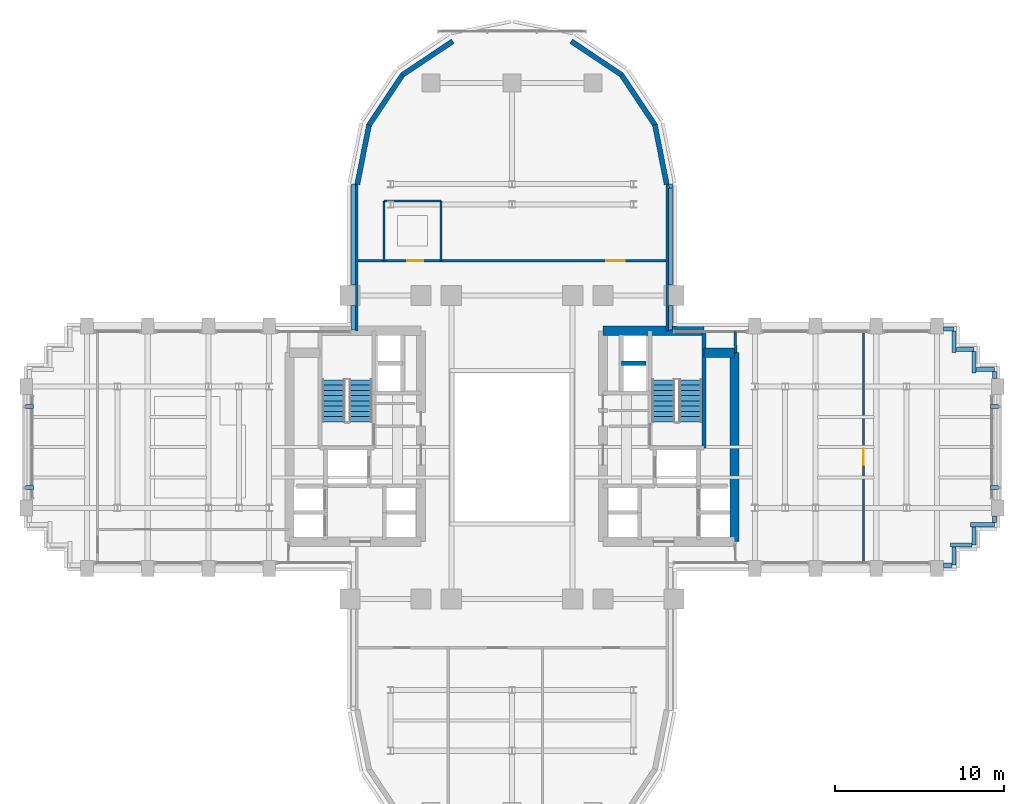
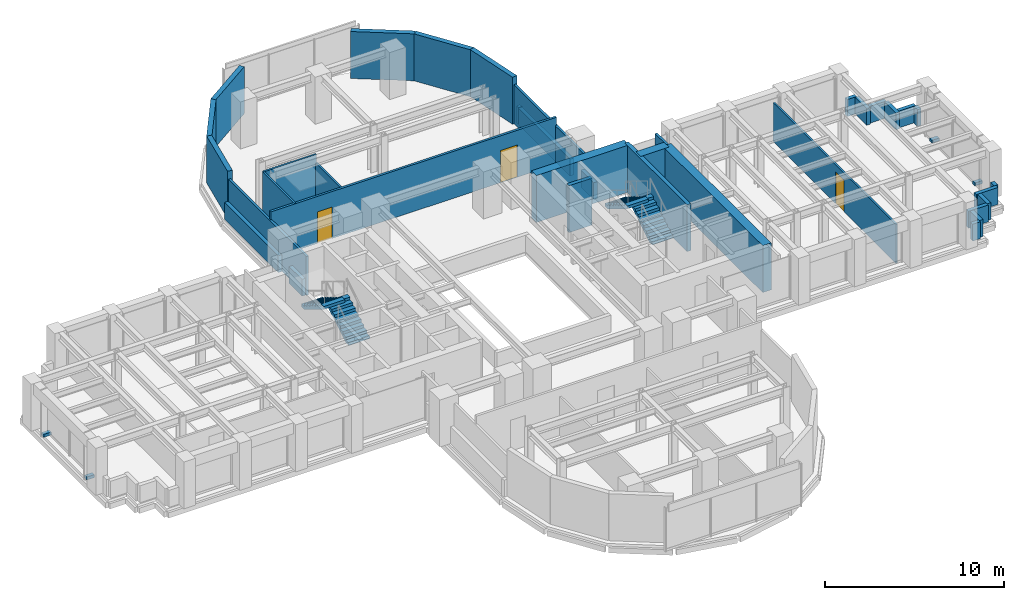
# One storey, part 12 of 16: 36 walls, 4 discrete accessories, 4 stair flights, 3 doors, 3 openings, 2 elements without a shape of their own.
"""IFC4 building model written with IfcOpenShell, lengths in metres."""

from ifc_helpers import new_model, si_unit, direction, frame, frame_2d, origin, origin_2d, place, context, subcontext, project, spatial, polyline, rectangle, outline, extrude, source, transform, mapped, material, layer, layer_set, type_object, element, fill, aggregate, save


model = new_model("IFC4")

# Units and contexts
model_context = context("Model", 3, precision=1e-05, world=origin(), true_north=direction((0.0, 1.0)))
body_context = subcontext(model_context, "Body", "Model", "MODEL_VIEW")
ifc_project = project(units=[si_unit("LENGTHUNIT", "METRE"), si_unit("AREAUNIT", "SQUARE_METRE"), si_unit("VOLUMEUNIT", "CUBIC_METRE"), si_unit("PLANEANGLEUNIT", "RADIAN"), si_unit("MASSUNIT", "GRAM", prefix="KILO")], contexts=[model_context])

# Site, building, storey
site_placement = place(None, origin())
site = spatial("IfcSite", under=ifc_project, at=site_placement, CompositionType="ELEMENT")
building_placement = place(site_placement, origin())
building = spatial("IfcBuilding", under=site, at=building_placement, Name="Keilestroom Media Tower", CompositionType="ELEMENT")
storey_placement = place(building_placement, frame((0.0, 0.0, 51.0)))
storey = spatial("IfcBuildingStorey", under=building, at=storey_placement, Name="L12", CompositionType="ELEMENT", Elevation=51.0)

# Walls
ifc_material_1 = material(Name="Precast concrete C40/50", Category="concrete")
ifc_layer_1 = layer(ifc_material_1, 0.300048828125)
ifc_layer_set_1 = layer_set([ifc_layer_1], Name="Precast concrete C40/50")
wall_type_1 = type_object("IfcWallType", Name="Exterior-Masonry-Spandrel-Wall-300", PredefinedType="SOLIDWALL", material=ifc_layer_set_1)
for number, where, z_axis, x_axis, name in (
    (1, (9.1748046875, 15.585205078125, 0.0), (0.0, 0.0, 1.0), (-0.195114232679, 0.980780523974, 0.0), "L12 Lobe Facet Precast Frame Wall 01"),
    (2, (8.48193359375, 19.097412109375, 0.0), (0.0, 0.0, 1.0), (-0.555574187116, 0.831466970246, 0.0), "L12 Lobe Facet Precast Frame Wall 02"),
):
    element("IfcWall", number, at=place(storey_placement, frame(where, z_axis=z_axis, x_axis=x_axis)), inside=storey, type_object=wall_type_1, Name=name, PredefinedType="SOLIDWALL", context=body_context, shape_type="SweptSolid", body=[
        extrude(rectangle(XDim=3.608642578125, YDim=0.300048828125, at=frame_2d((1.80419921875, 0.0))), origin(), (0.0, 0.0, 1.0), 3.199951171875),
    ])
for number, where, z_axis, x_axis, name in (
    (3, (6.497802734375, 22.0771484375, 0.0), (0.0, 0.0, 1.0), (-0.8314749531, 0.555562239868, 0.0), "L12 Lobe Facet Precast Frame Wall 03"),
    (4, (-3.510009765625, 24.073486328125, 0.0), (0.0, 0.0, 1.0), (-0.8314749531, -0.555562239868, 0.0), "L12 Lobe Facet Precast Frame Wall 04"),
):
    element("IfcWall", number, at=place(storey_placement, frame(where, z_axis=z_axis, x_axis=x_axis)), inside=storey, type_object=wall_type_1, Name=name, PredefinedType="SOLIDWALL", context=body_context, shape_type="SweptSolid", body=[
        extrude(rectangle(XDim=3.59326171875, YDim=0.300048828125, at=frame_2d((1.796630859375, 0.0))), origin(), (0.0, 0.0, 1.0), 3.199951171875),
    ])
for number, where, z_axis, x_axis, name in (
    (5, (-6.47705078125, 22.097900390625, 0.0), (0.0, 0.0, 1.0), (-0.555574187116, -0.831466970246, 0.0), "L12 Lobe Facet Precast Frame Wall 05"),
    (6, (-8.470703125, 19.12451171875, 0.0), (0.0, 0.0, 1.0), (-0.195114232679, -0.980780523974, 0.0), "L12 Lobe Facet Precast Frame Wall 06"),
):
    element("IfcWall", number, at=place(storey_placement, frame(where, z_axis=z_axis, x_axis=x_axis)), inside=storey, type_object=wall_type_1, Name=name, PredefinedType="SOLIDWALL", context=body_context, shape_type="SweptSolid", body=[
        extrude(rectangle(XDim=3.608642578125, YDim=0.300048828125, at=frame_2d((1.80419921875, 0.0))), origin(), (0.0, 0.0, 1.0), 3.199951171875),
    ])
ifc_material_2 = material(Name="Gypsum Plasterboard & Steel Stud", Category="steel")
ifc_layer_2 = layer(ifc_material_2, 0.1201171875)
ifc_layer_set_2 = layer_set([ifc_layer_2], Name="Gypsum Plasterboard & Steel Stud")
wall_type_2 = type_object("IfcWallType", Name="Interior-Partition-Wall-120", PredefinedType="PARTITIONING", material=ifc_layer_set_2)
wall_1_placement = place(storey_placement, frame((-7.60009765625, 14.60009765625, 0.0), z_axis=(0.0, 0.0, 1.0), x_axis=(1.0, 0.0, 0.0)))
element("IfcWall", 7, at=wall_1_placement, inside=storey, type_object=wall_type_2, Name="L12 Interior Wall WP-L12-NL-WC-N", PredefinedType="PARTITIONING", context=body_context, shape_type="SweptSolid", body=[
    extrude(rectangle(XDim=3.400146484375, YDim=0.1201171875, at=frame_2d((1.7001953125, 0.0))), origin(), (0.0, 0.0, 1.0), 3.199951171875),
])
wall_2_placement = place(storey_placement, frame((-7.60009765625, 11.050048828125, 0.0), z_axis=(0.0, 0.0, 1.0), x_axis=(0.0, 1.0, 0.0)))
element("IfcWall", 8, at=wall_2_placement, inside=storey, type_object=wall_type_2, Name="L12 Interior Wall WP-L12-NL-WC-W", PredefinedType="PARTITIONING", context=body_context, shape_type="SweptSolid", body=[
    extrude(rectangle(XDim=3.550048828125, YDim=0.1201171875, at=frame_2d((1.77490234375, 0.0))), origin(), (0.0, 0.0, 1.0), 3.199951171875),
])
wall_3_placement = place(storey_placement, frame((-4.199951171875, 11.050048828125, 0.0), z_axis=(0.0, 0.0, 1.0), x_axis=(0.0, 1.0, 0.0)))
element("IfcWall", 9, at=wall_3_placement, inside=storey, type_object=wall_type_2, Name="L12 Interior Wall WP-L12-NL-WC-E", PredefinedType="PARTITIONING", context=body_context, shape_type="SweptSolid", body=[
    extrude(rectangle(XDim=3.550048828125, YDim=0.1201171875, at=frame_2d((1.77490234375, 0.0))), origin(), (0.0, 0.0, 1.0), 2.64990234375),
])

# Wall, opening, door
wall_4_placement = place(storey_placement, frame((20.840087890625, -6.85009765625, 0.0), z_axis=(0.0, 0.0, 1.0), x_axis=(0.0, 1.0, 0.0)))
wall_4 = element("IfcWall", 10, at=wall_4_placement, inside=storey, type_object=wall_type_2, Name="L12 Interior Wall WP-L12-EA-V", PredefinedType="PARTITIONING", context=body_context, shape_type="SweptSolid", body=[
    extrude(rectangle(XDim=13.7001953125, YDim=0.1201171875, at=frame_2d((6.85009765625, 0.0))), origin(), (0.0, 0.0, 1.0), 2.64990234375),
])
opening_1_placement = place(wall_4_placement, frame((5.800048828125, 0.0, 0.0)))
opening_1 = element("IfcOpeningElement", 11, at=opening_1_placement, cuts=wall_4, Name="Opening DI-03", PredefinedType="OPENING", context=body_context, shape_type="SweptSolid", body=[
    extrude(rectangle(XDim=0.949951171875, YDim=2.14990234375, at=frame_2d((0.47509765625, 1.074951171875))), frame((0.0, 0.070068359375, 0.0), z_axis=(0.0, -1.0, 0.0), x_axis=(1.0, 0.0, 0.0)), (0.0, 0.0, 1.0), 0.14013671875),
])
ifc_material_3 = material(Name="Lacquered European Oak Leaf", Category="wood")
door_type_1 = type_object("IfcDoorType", Name="Interior-Room-And-Suite-Door-DI-03", OperationType="NOTDEFINED", PredefinedType="DOOR", material=ifc_material_3)
shared_shape_1 = source(origin(), body_context, "Body", "SweptSolid", [
    extrude(rectangle(XDim=0.949951171875, YDim=2.14990234375, at=frame_2d((0.47509765625, 1.074951171875))), frame((0.0, 0.02490234375, 0.0), z_axis=(0.0, -1.0, 0.0), x_axis=(1.0, 0.0, 0.0)), (0.0, 0.0, 1.0), 0.050048828125),
])
door_1_placement = place(opening_1_placement, origin())
door_1 = element("IfcDoor", 12, at=door_1_placement, inside=storey, type_object=door_type_1, Name="L12 Interior Door DI-L12-DEA-E", OperationType="SINGLE_SWING_RIGHT", OverallHeight=2.14990234375, OverallWidth=0.949951171875, PredefinedType="DOOR", context=body_context, shape_type="MappedRepresentation", body=[
    mapped(shared_shape_1, transform((0.0, 0.0, 0.0), x_axis=(1.0, 0.0, 0.0), y_axis=(0.0, 1.0, 0.0), z_axis=(0.0, 0.0, 1.0), scale=1.0)),
])
fill(opening_1, door_1)

# Wall, openings, doors
ifc_layer_3 = layer(ifc_material_2, 0.14990234375)
ifc_layer_set_3 = layer_set([ifc_layer_3], Name="Gypsum Plasterboard & Steel Stud")
wall_type_3 = type_object("IfcWallType", Name="Interior-Partition-Wall-150", PredefinedType="PARTITIONING", material=ifc_layer_set_3)
wall_5_placement = place(storey_placement, frame((-9.199951171875, 11.050048828125, 0.0), z_axis=(0.0, 0.0, 1.0), x_axis=(1.0, 0.0, 0.0)))
wall_5 = element("IfcWall", 13, at=wall_5_placement, inside=storey, type_object=wall_type_3, Name="L12 Interior Wall WP-L12-NL-BASE", PredefinedType="PARTITIONING", context=body_context, shape_type="SweptSolid", body=[
    extrude(rectangle(XDim=18.39990234375, YDim=0.14990234375, at=frame_2d((9.199951171875, 0.0))), origin(), (0.0, 0.0, 1.0), 3.199951171875),
])
opening_2_placement = place(wall_5_placement, frame((3.0, 0.0, 0.0)))
opening_2 = element("IfcOpeningElement", 14, at=opening_2_placement, cuts=wall_5, Name="Opening DI-03", PredefinedType="OPENING", context=body_context, shape_type="SweptSolid", body=[
    extrude(rectangle(XDim=0.949951171875, YDim=2.14990234375, at=frame_2d((0.47509765625, 1.074951171875))), frame((0.0, 0.0849609375, 0.0), z_axis=(0.0, -1.0, 0.0), x_axis=(1.0, 0.0, 0.0)), (0.0, 0.0, 1.0), 0.169921875),
])
opening_3_placement = place(wall_5_placement, frame((14.800048828125, 0.0, 0.0)))
opening_3 = element("IfcOpeningElement", 15, at=opening_3_placement, cuts=wall_5, Name="Opening DI-04", PredefinedType="OPENING", context=body_context, shape_type="SweptSolid", body=[
    extrude(rectangle(XDim=1.10009765625, YDim=2.199951171875, at=frame_2d((0.550048828125, 1.10009765625))), frame((0.0, 0.0849609375, 0.0), z_axis=(0.0, -1.0, 0.0), x_axis=(1.0, 0.0, 0.0)), (0.0, 0.0, 1.0), 0.169921875),
])
door_2_placement = place(opening_2_placement, origin())
door_2 = element("IfcDoor", 16, at=door_2_placement, inside=storey, type_object=door_type_1, Name="L12 Interior Door DI-L12-DNL-WC", OperationType="SINGLE_SWING_LEFT", OverallHeight=2.14990234375, OverallWidth=0.949951171875, PredefinedType="DOOR", context=body_context, shape_type="MappedRepresentation", body=[
    mapped(shared_shape_1, transform((0.0, 0.0, 0.0), x_axis=(1.0, 0.0, 0.0), y_axis=(0.0, 1.0, 0.0), z_axis=(0.0, 0.0, 1.0), scale=1.0)),
])
fill(opening_2, door_2)
ifc_material_4 = material(Name="Acoustic Glazed Aluminium Leaf", Category="aluminium")
door_type_2 = type_object("IfcDoorType", Name="Interior-Room-And-Suite-Door-DI-04", OperationType="NOTDEFINED", PredefinedType="DOOR", material=ifc_material_4)
shared_shape_2 = source(origin(), body_context, "Body", "SweptSolid", [
    extrude(rectangle(XDim=1.10009765625, YDim=2.199951171875, at=frame_2d((0.550048828125, 1.10009765625))), frame((0.0, 0.02490234375, 0.0), z_axis=(0.0, -1.0, 0.0), x_axis=(1.0, 0.0, 0.0)), (0.0, 0.0, 1.0), 0.050048828125),
])
door_3_placement = place(opening_3_placement, origin())
door_3 = element("IfcDoor", 17, at=door_3_placement, inside=storey, type_object=door_type_2, Name="L12 Interior Door DI-L12-DNL-HALL", OperationType="SINGLE_SWING_RIGHT", OverallHeight=2.199951171875, OverallWidth=1.10009765625, PredefinedType="DOOR", context=body_context, shape_type="MappedRepresentation", body=[
    mapped(shared_shape_2, transform((0.0, 0.0, 0.0), x_axis=(1.0, 0.0, 0.0), y_axis=(0.0, 1.0, 0.0), z_axis=(0.0, 0.0, 1.0), scale=1.0)),
])
fill(opening_3, door_3)

# Walls
for number, where, z_axis, x_axis, name in (
    (18, (-9.199951171875, 6.89990234375, 0.0), (0.0, 0.0, 1.0), (0.0, 1.0, 0.0), "L12 Interior Wall WP-L12-NL-CHKW"),
    (19, (9.199951171875, 6.89990234375, 0.0), (0.0, 0.0, 1.0), (0.0, 1.0, 0.0), "L12 Interior Wall WP-L12-NL-CHKE"),
):
    element("IfcWall", number, at=place(storey_placement, frame(where, z_axis=z_axis, x_axis=x_axis)), inside=storey, type_object=wall_type_3, Name=name, PredefinedType="PARTITIONING", context=body_context, shape_type="SweptSolid", body=[
        extrude(rectangle(XDim=8.780029296875, YDim=0.14990234375, at=frame_2d((4.39013671875, 0.0))), origin(), (0.0, 0.0, 1.0), 2.64990234375),
    ])
wall_6_placement = place(storey_placement, frame((13.260009765625, 5.60009765625, 0.0), z_axis=(0.0, 0.0, 1.0), x_axis=(-0.016013571389, 0.999871774545, 0.0)))
element("IfcWall", 20, at=wall_6_placement, inside=storey, type_object=wall_type_3, Name="L12 Interior Wall WP-L12-EA-ENTN", PredefinedType="PARTITIONING", context=body_context, shape_type="SweptSolid", body=[
    extrude(rectangle(XDim=1.250244140625, YDim=0.14990234375, at=frame_2d((0.625, 0.0))), origin(), (0.0, 0.0, 1.0), 3.199951171875),
])
ifc_material_5 = material(Name="Concrete C70/85", Category="concrete")
ifc_layer_4 = layer(ifc_material_5, 0.550048828125)
ifc_layer_set_4 = layer_set([ifc_layer_4], Name="Concrete C70/85")
wall_type_4 = type_object("IfcWallType", Name="Reinforced-Concrete-Core-Shear-Wall-550", PredefinedType="SHEAR", material=ifc_layer_set_4)
wall_7_placement = place(storey_placement, frame((13.199951171875, -5.60009765625, 0.0), z_axis=(0.0, 0.0, 1.0), x_axis=(0.0, 1.0, 0.0)))
element("IfcWall", 21, at=wall_7_placement, inside=storey, type_object=wall_type_4, Name="L12 Core Shear Wall WL-L12-CORE-E-OUT", PredefinedType="SHEAR", context=body_context, shape_type="SweptSolid", body=[
    extrude(rectangle(XDim=11.2001953125, YDim=0.550048828125, at=frame_2d((5.60009765625, 0.0))), origin(), (0.0, 0.0, 1.0), 3.199951171875),
])
wall_8_placement = place(storey_placement, frame((5.39990234375, 6.89990234375, 0.0), z_axis=(0.0, 0.0, 1.0), x_axis=(1.0, 0.0, 0.0)))
element("IfcWall", 22, at=wall_8_placement, inside=storey, type_object=wall_type_4, Name="L12 Core Shear Wall WL-L12-CORE-E-N", PredefinedType="SHEAR", context=body_context, shape_type="SweptSolid", body=[
    extrude(rectangle(XDim=5.981201171875, YDim=0.550048828125, at=frame_2d((2.99072265625, 0.0))), origin(), (0.0, 0.0, 1.0), 3.199951171875),
])
wall_9_placement = place(storey_placement, frame((11.381103515625, 5.60009765625, 0.0), z_axis=(0.0, 0.0, 1.0), x_axis=(1.0, 0.0, 0.0)))
element("IfcWall", 23, at=wall_9_placement, inside=storey, type_object=wall_type_4, Name="L12 Core Shear Wall WL-L12-CNE-N", PredefinedType="SHEAR", context=body_context, shape_type="SweptSolid", body=[
    extrude(rectangle(XDim=1.81884765625, YDim=0.550048828125, at=frame_2d((0.909423828125, 0.0))), origin(), (0.0, 0.0, 1.0), 3.199951171875),
])
ifc_material_6 = material(Name="Concrete C50/60", Category="concrete")
ifc_layer_5 = layer(ifc_material_6, 0.25)
ifc_layer_set_5 = layer_set([ifc_layer_5], Name="Concrete C50/60")
wall_type_5 = type_object("IfcWallType", Name="Reinforced-Concrete-Shaft-Wall-250", PredefinedType="SOLIDWALL", material=ifc_layer_set_5)
wall_10_placement = place(storey_placement, frame((11.381103515625, -0.041015625, 0.0), z_axis=(0.0, 0.0, 1.0), x_axis=(0.0, 1.0, 0.0)))
element("IfcWall", 24, at=wall_10_placement, inside=storey, type_object=wall_type_5, Name="L12 Core Shear Wall WL-L12-STW-E-FAR", PredefinedType="SOLIDWALL", context=body_context, shape_type="SweptSolid", body=[
    extrude(rectangle(XDim=6.94091796875, YDim=0.25, at=frame_2d((3.470458984375, 0.0))), origin(), (0.0, 0.0, 1.0), 3.199951171875),
])
wall_11_placement = place(storey_placement, frame((6.47998046875, 4.97998046875, 0.0), z_axis=(0.0, 0.0, 1.0), x_axis=(1.0, 0.0, 0.0)))
element("IfcWall", 25, at=wall_11_placement, inside=storey, type_object=wall_type_5, Name="L12 Core Shear Wall WL-L12-LSH-PL-H3-N", PredefinedType="SOLIDWALL", context=body_context, shape_type="SweptSolid", body=[
    extrude(rectangle(XDim=1.469970703125, YDim=0.25, at=frame_2d((0.73486328125, 0.0))), origin(), (0.0, 0.0, 1.0), 3.199951171875),
])
ifc_layer_6 = layer(ifc_material_1, 0.239990234375)
ifc_layer_set_6 = layer_set([ifc_layer_6], Name="Precast concrete C40/50")
wall_type_6 = type_object("IfcWallType", Name="Roof-And-Terrace-Parapet-Wall-240", PredefinedType="PARAPET", material=ifc_layer_set_6)
wall_12_placement = place(storey_placement, frame((28.60009765625, -4.60009765625, 0.0), z_axis=(0.0, 0.0, 1.0), x_axis=(-1.0, 0.0, 0.0)))
element("IfcWall", 26, at=wall_12_placement, inside=storey, type_object=wall_type_6, Name="L12 Perimeter Edge Parapet Wall 01", PredefinedType="PARAPET", context=body_context, shape_type="SweptSolid", body=[
    extrude(rectangle(XDim=1.400146484375, YDim=0.239990234375, at=frame_2d((0.7001953125, 0.0))), origin(), (0.0, 0.0, 1.0), 1.14990234375),
])
wall_13_placement = place(storey_placement, frame((27.39990234375, -4.722900390625, 0.0), z_axis=(0.0, 0.0, 1.0), x_axis=(0.0, -1.0, 0.0)))
element("IfcWall", 27, at=wall_13_placement, inside=storey, type_object=wall_type_6, Name="L12 Perimeter Edge Parapet Wall 02", PredefinedType="PARAPET", context=body_context, shape_type="SweptSolid", body=[
    extrude(rectangle(XDim=1.0771484375, YDim=0.239990234375, at=frame_2d((0.53857421875, 0.0))), origin(), (0.0, 0.0, 1.0), 1.14990234375),
])
wall_14_placement = place(storey_placement, frame((27.277099609375, -5.800048828125, 0.0), z_axis=(0.0, 0.0, 1.0), x_axis=(-1.0, 0.0, 0.0)))
element("IfcWall", 28, at=wall_14_placement, inside=storey, type_object=wall_type_6, Name="L12 Perimeter Edge Parapet Wall 03", PredefinedType="PARAPET", context=body_context, shape_type="SweptSolid", body=[
    extrude(rectangle(XDim=1.277099609375, YDim=0.239990234375, at=frame_2d((0.638671875, 0.0))), origin(), (0.0, 0.0, 1.0), 1.14990234375),
])
wall_15_placement = place(storey_placement, frame((26.199951171875, -5.923095703125, 0.0), z_axis=(0.0, 0.0, 1.0), x_axis=(0.0, -1.0, 0.0)))
element("IfcWall", 29, at=wall_15_placement, inside=storey, type_object=wall_type_6, Name="L12 Perimeter Edge Parapet Wall 04", PredefinedType="PARAPET", context=body_context, shape_type="SweptSolid", body=[
    extrude(rectangle(XDim=1.076904296875, YDim=0.239990234375, at=frame_2d((0.53857421875, 0.0))), origin(), (0.0, 0.0, 1.0), 1.14990234375),
])
wall_16_placement = place(storey_placement, frame((26.076904296875, -7.0, 0.0), z_axis=(0.0, 0.0, 1.0), x_axis=(-1.0, 0.0, 0.0)))
element("IfcWall", 30, at=wall_16_placement, inside=storey, type_object=wall_type_6, Name="L12 Perimeter Edge Parapet Wall 05", PredefinedType="PARAPET", context=body_context, shape_type="SweptSolid", body=[
    extrude(rectangle(XDim=0.4990234375, YDim=0.239990234375, at=frame_2d((0.24951171875, 0.0))), origin(), (0.0, 0.0, 1.0), 1.14990234375),
])
wall_17_placement = place(storey_placement, frame((-9.39990234375, 6.952880859375, 0.0), z_axis=(0.0, 0.0, 1.0), x_axis=(0.0, 1.0, 0.0)))
element("IfcWall", 31, at=wall_17_placement, inside=storey, type_object=wall_type_6, Name="L12 Perimeter Edge Parapet Wall 24", PredefinedType="PARAPET", context=body_context, shape_type="SweptSolid", body=[
    extrude(rectangle(XDim=1.444091796875, YDim=0.239990234375, at=frame_2d((0.72216796875, 0.0))), origin(), (0.0, 0.0, 1.0), 1.14990234375),
])
wall_18_placement = place(storey_placement, frame((-9.39990234375, 9.60302734375, 0.0), z_axis=(0.0, 0.0, 1.0), x_axis=(0.0, 1.0, 0.0)))
element("IfcWall", 32, at=wall_18_placement, inside=storey, type_object=wall_type_6, Name="L12 Perimeter Edge Parapet Wall 25", PredefinedType="PARAPET", context=body_context, shape_type="SweptSolid", body=[
    extrude(rectangle(XDim=5.999755859375, YDim=0.239990234375, at=frame_2d((3.0, 0.0))), origin(), (0.0, 0.0, 1.0), 1.14990234375),
])
wall_19_placement = place(storey_placement, frame((9.395263671875, 15.604248046875, 0.0), z_axis=(0.0, 0.0, 1.0), x_axis=(0.194652052864, -0.980872355771, 0.0)))
element("IfcWall", 33, at=wall_19_placement, inside=storey, type_object=wall_type_6, Name="L12 Perimeter Edge Parapet Wall 26", PredefinedType="PARAPET", context=body_context, shape_type="SweptSolid", body=[
    extrude(rectangle(XDim=0.224609375, YDim=0.239990234375, at=frame_2d((0.1123046875, 0.0))), origin(), (0.0, 0.0, 1.0), 1.14990234375),
])
wall_20_placement = place(storey_placement, frame((9.39990234375, 15.357666015625, 0.0), z_axis=(0.0, 0.0, 1.0), x_axis=(0.0, -1.0, 0.0)))
element("IfcWall", 34, at=wall_20_placement, inside=storey, type_object=wall_type_6, Name="L12 Perimeter Edge Parapet Wall 27", PredefinedType="PARAPET", context=body_context, shape_type="SweptSolid", body=[
    extrude(rectangle(XDim=5.754638671875, YDim=0.239990234375, at=frame_2d((2.87744140625, 0.0))), origin(), (0.0, 0.0, 1.0), 1.14990234375),
])
wall_21_placement = place(storey_placement, frame((9.39990234375, 8.39697265625, 0.0), z_axis=(0.0, 0.0, 1.0), x_axis=(0.0, -1.0, 0.0)))
element("IfcWall", 35, at=wall_21_placement, inside=storey, type_object=wall_type_6, Name="L12 Perimeter Edge Parapet Wall 28", PredefinedType="PARAPET", context=body_context, shape_type="SweptSolid", body=[
    extrude(rectangle(XDim=1.444091796875, YDim=0.239990234375, at=frame_2d((0.72216796875, 0.0))), origin(), (0.0, 0.0, 1.0), 1.14990234375),
])
wall_22_placement = place(storey_placement, frame((25.577880859375, 7.0, 0.0), z_axis=(0.0, 0.0, 1.0), x_axis=(1.0, 0.0, 0.0)))
element("IfcWall", 36, at=wall_22_placement, inside=storey, type_object=wall_type_6, Name="L12 Perimeter Edge Parapet Wall 29", PredefinedType="PARAPET", context=body_context, shape_type="SweptSolid", body=[
    extrude(rectangle(XDim=0.6220703125, YDim=0.239990234375, at=frame_2d((0.31103515625, 0.0))), origin(), (0.0, 0.0, 1.0), 1.14990234375),
])
wall_23_placement = place(storey_placement, frame((26.199951171875, 6.876953125, 0.0), z_axis=(0.0, 0.0, 1.0), x_axis=(0.0, -1.0, 0.0)))
element("IfcWall", 37, at=wall_23_placement, inside=storey, type_object=wall_type_6, Name="L12 Perimeter Edge Parapet Wall 30", PredefinedType="PARAPET", context=body_context, shape_type="SweptSolid", body=[
    extrude(rectangle(XDim=1.27685546875, YDim=0.239990234375, at=frame_2d((0.638427734375, 0.0))), origin(), (0.0, 0.0, 1.0), 1.14990234375),
])
wall_24_placement = place(storey_placement, frame((26.322998046875, 5.800048828125, 0.0), z_axis=(0.0, 0.0, 1.0), x_axis=(1.0, 0.0, 0.0)))
element("IfcWall", 38, at=wall_24_placement, inside=storey, type_object=wall_type_6, Name="L12 Perimeter Edge Parapet Wall 31", PredefinedType="PARAPET", context=body_context, shape_type="SweptSolid", body=[
    extrude(rectangle(XDim=1.076904296875, YDim=0.239990234375, at=frame_2d((0.53857421875, 0.0))), origin(), (0.0, 0.0, 1.0), 1.14990234375),
])
wall_25_placement = place(storey_placement, frame((27.39990234375, 5.677001953125, 0.0), z_axis=(0.0, 0.0, 1.0), x_axis=(0.0, -1.0, 0.0)))
element("IfcWall", 39, at=wall_25_placement, inside=storey, type_object=wall_type_6, Name="L12 Perimeter Edge Parapet Wall 32", PredefinedType="PARAPET", context=body_context, shape_type="SweptSolid", body=[
    extrude(rectangle(XDim=1.277099609375, YDim=0.239990234375, at=frame_2d((0.638671875, 0.0))), origin(), (0.0, 0.0, 1.0), 1.14990234375),
])
wall_26_placement = place(storey_placement, frame((27.52294921875, 4.60009765625, 0.0), z_axis=(0.0, 0.0, 1.0), x_axis=(1.0, 0.0, 0.0)))
element("IfcWall", 40, at=wall_26_placement, inside=storey, type_object=wall_type_6, Name="L12 Perimeter Edge Parapet Wall 33", PredefinedType="PARAPET", context=body_context, shape_type="SweptSolid", body=[
    extrude(rectangle(XDim=1.0771484375, YDim=0.239990234375, at=frame_2d((0.53857421875, 0.0))), origin(), (0.0, 0.0, 1.0), 1.14990234375),
])
for number, where, z_axis, x_axis, name in (
    (41, (28.60009765625, 4.47705078125, 0.0), (0.0, 0.0, 1.0), (0.0, -1.0, 0.0), "L12 Perimeter Edge Parapet Wall 34"),
    (42, (28.60009765625, -4.077880859375, 0.0), (0.0, 0.0, 1.0), (0.0, -1.0, 0.0), "L12 Perimeter Edge Parapet Wall 35"),
):
    element("IfcWall", number, at=place(storey_placement, frame(where, z_axis=z_axis, x_axis=x_axis)), inside=storey, type_object=wall_type_6, Name=name, PredefinedType="PARAPET", context=body_context, shape_type="SweptSolid", body=[
        extrude(rectangle(XDim=0.399169921875, YDim=0.239990234375, at=frame_2d((0.19970703125, 0.0))), origin(), (0.0, 0.0, 1.0), 1.14990234375),
    ])

# Stair, stair flights
ifc_material_7 = material(Name="Concrete C45/55", Category="concrete")
stair_type = type_object("IfcStairType", Name="Enclosed-Dog-Leg-Stair-ST-CORE", PredefinedType="HALF_TURN_STAIR", material=ifc_material_7)
stair_1_placement = place(storey_placement, origin())
stair_1 = element("IfcStair", 43, at=stair_1_placement, inside=storey, type_object=stair_type, Name="L12 West Core Escape Stair ST-1", PredefinedType="HALF_TURN_STAIR")
stair_flight_type = type_object("IfcStairFlightType", Name="Precast-Concrete-Stair-Flight-Core-160", PredefinedType="STRAIGHT", material=ifc_material_1)
stair_flight_1_placement = place(storey_placement, frame((-8.97998046875, 1.5, 0.0), z_axis=(0.0, 0.0, 1.0), x_axis=(0.0, 1.0, 0.0)))
stair_flight_1 = element("IfcStairFlight", 44, at=stair_flight_1_placement, type_object=stair_flight_type, Name="ST-1 flight 1", NumberOfRisers=9, NumberOfTreads=8, PredefinedType="STRAIGHT", RiserHeight=0.188888889, TreadLength=0.312, context=body_context, shape_type="SweptSolid", body=[
    extrude(outline(polyline([(0.0, 0.0), (0.0, 0.18896484375), (0.31201171875, 0.18896484375), (0.31201171875, 0.377685546875), (0.6240234375, 0.377685546875), (0.6240234375, 0.566650390625), (0.93603515625, 0.566650390625), (0.93603515625, 0.755615234375), (1.248046875, 0.755615234375), (1.248046875, 0.9443359375), (1.56005859375, 0.9443359375), (1.56005859375, 1.13330078125), (1.8720703125, 1.13330078125), (1.8720703125, 1.322265625), (2.18408203125, 1.322265625), (2.18408203125, 1.51123046875), (2.49609375, 1.51123046875), (2.49609375, 1.699951171875), (2.49609375, 1.32421875), (0.308837890625, 0.0), (0.0, 0.0)])), frame((0.0, 0.68017578125, 0.0), z_axis=(0.0, -1.0, 0.0), x_axis=(1.0, 0.0, 0.0)), (0.0, 0.0, 1.0), 1.360107421875),
])
stair_flight_2_placement = place(storey_placement, frame((-10.580078125, 3.99609375, 1.699951171875), z_axis=(0.0, 0.0, 1.0), x_axis=(0.0, -1.0, 0.0)))
stair_flight_2 = element("IfcStairFlight", 45, at=stair_flight_2_placement, type_object=stair_flight_type, Name="ST-1 flight 2", NumberOfRisers=9, NumberOfTreads=8, PredefinedType="STRAIGHT", RiserHeight=0.188888889, TreadLength=0.312, context=body_context, shape_type="SweptSolid", body=[
    extrude(outline(polyline([(0.0, 0.0), (0.0, 0.18896484375), (0.31201171875, 0.18896484375), (0.31201171875, 0.377685546875), (0.6240234375, 0.377685546875), (0.6240234375, 0.566650390625), (0.93603515625, 0.566650390625), (0.93603515625, 0.755615234375), (1.248046875, 0.755615234375), (1.248046875, 0.9443359375), (1.56005859375, 0.9443359375), (1.56005859375, 1.13330078125), (1.8720703125, 1.13330078125), (1.8720703125, 1.322265625), (2.18408203125, 1.322265625), (2.18408203125, 1.51123046875), (2.49609375, 1.51123046875), (2.49609375, 1.699951171875), (2.49609375, 1.32421875), (0.308837890625, 0.0), (0.0, 0.0)])), frame((0.0, 0.68017578125, 0.0), z_axis=(0.0, -1.0, 0.0), x_axis=(1.0, 0.0, 0.0)), (0.0, 0.0, 1.0), 1.360107421875),
])
aggregate(stair_1, [stair_flight_1, stair_flight_2])

stair_2_placement = place(storey_placement, origin())
stair_2 = element("IfcStair", 46, at=stair_2_placement, inside=storey, type_object=stair_type, Name="L12 East Core Escape Stair ST-2", PredefinedType="HALF_TURN_STAIR")
stair_flight_3_placement = place(storey_placement, frame((10.580078125, 1.5, 0.0), z_axis=(0.0, 0.0, 1.0), x_axis=(0.0, 1.0, 0.0)))
stair_flight_3 = element("IfcStairFlight", 47, at=stair_flight_3_placement, type_object=stair_flight_type, Name="ST-2 flight 1", NumberOfRisers=9, NumberOfTreads=8, PredefinedType="STRAIGHT", RiserHeight=0.188888889, TreadLength=0.312, context=body_context, shape_type="SweptSolid", body=[
    extrude(outline(polyline([(0.0, 0.0), (0.0, 0.18896484375), (0.31201171875, 0.18896484375), (0.31201171875, 0.377685546875), (0.6240234375, 0.377685546875), (0.6240234375, 0.566650390625), (0.93603515625, 0.566650390625), (0.93603515625, 0.755615234375), (1.248046875, 0.755615234375), (1.248046875, 0.9443359375), (1.56005859375, 0.9443359375), (1.56005859375, 1.13330078125), (1.8720703125, 1.13330078125), (1.8720703125, 1.322265625), (2.18408203125, 1.322265625), (2.18408203125, 1.51123046875), (2.49609375, 1.51123046875), (2.49609375, 1.699951171875), (2.49609375, 1.32421875), (0.308837890625, 0.0), (0.0, 0.0)])), frame((0.0, 0.68017578125, 0.0), z_axis=(0.0, -1.0, 0.0), x_axis=(1.0, 0.0, 0.0)), (0.0, 0.0, 1.0), 1.360107421875),
])
stair_flight_4_placement = place(storey_placement, frame((8.97998046875, 3.99609375, 1.699951171875), z_axis=(0.0, 0.0, 1.0), x_axis=(0.0, -1.0, 0.0)))
stair_flight_4 = element("IfcStairFlight", 48, at=stair_flight_4_placement, type_object=stair_flight_type, Name="ST-2 flight 2", NumberOfRisers=9, NumberOfTreads=8, PredefinedType="STRAIGHT", RiserHeight=0.188888889, TreadLength=0.312, context=body_context, shape_type="SweptSolid", body=[
    extrude(outline(polyline([(0.0, 0.0), (0.0, 0.18896484375), (0.31201171875, 0.18896484375), (0.31201171875, 0.377685546875), (0.6240234375, 0.377685546875), (0.6240234375, 0.566650390625), (0.93603515625, 0.566650390625), (0.93603515625, 0.755615234375), (1.248046875, 0.755615234375), (1.248046875, 0.9443359375), (1.56005859375, 0.9443359375), (1.56005859375, 1.13330078125), (1.8720703125, 1.13330078125), (1.8720703125, 1.322265625), (2.18408203125, 1.322265625), (2.18408203125, 1.51123046875), (2.49609375, 1.51123046875), (2.49609375, 1.699951171875), (2.49609375, 1.32421875), (0.308837890625, 0.0), (0.0, 0.0)])), frame((0.0, 0.68017578125, 0.0), z_axis=(0.0, -1.0, 0.0), x_axis=(1.0, 0.0, 0.0)), (0.0, 0.0, 1.0), 1.360107421875),
])
aggregate(stair_2, [stair_flight_3, stair_flight_4])

# Discrete accessories
ifc_material_8 = material(Name="Stainless Steel 1.4401", Category="steel")
discrete_accessory_type = type_object("IfcDiscreteAccessoryType", Name="Facade-Fin-Fixing-Bracket-BRK-1", PredefinedType="BRACKET", material=ifc_material_8)
shared_shape_3 = source(origin(), body_context, "Body", "SweptSolid", [
    extrude(rectangle(XDim=0.47998046875, YDim=0.239990234375, at=origin_2d()), origin(), (0.0, 0.0, 1.0), 0.199951171875),
])
for number, where, z_axis, x_axis, name in (
    (49, (-28.610107421875, -2.39990234375, -0.009765625), (0.0, 0.0, 1.0), (1.0, 0.0, 0.0), "L12 Sunshade Fin Bracket BRK-1 009"),
    (50, (-28.610107421875, 2.39990234375, -0.009765625), (0.0, 0.0, 1.0), (1.0, 0.0, 0.0), "L12 Sunshade Fin Bracket BRK-1 010"),
    (51, (28.610107421875, -2.39990234375, -0.009765625), (0.0, 0.0, 1.0), (1.0, 0.0, 0.0), "L12 Sunshade Fin Bracket BRK-1 011"),
    (52, (28.610107421875, 2.39990234375, -0.009765625), (0.0, 0.0, 1.0), (1.0, 0.0, 0.0), "L12 Sunshade Fin Bracket BRK-1 012"),
):
    element("IfcDiscreteAccessory", number, at=place(storey_placement, frame(where, z_axis=z_axis, x_axis=x_axis)), inside=storey, type_object=discrete_accessory_type, Name=name, PredefinedType="BRACKET", context=body_context, shape_type="MappedRepresentation", body=[
        mapped(shared_shape_3, transform((0.0, 0.0, 0.0), x_axis=(1.0, 0.0, 0.0), y_axis=(0.0, 1.0, 0.0), z_axis=(0.0, 0.0, 1.0), scale=1.0)),
    ])

save(model, "model.ifc")
